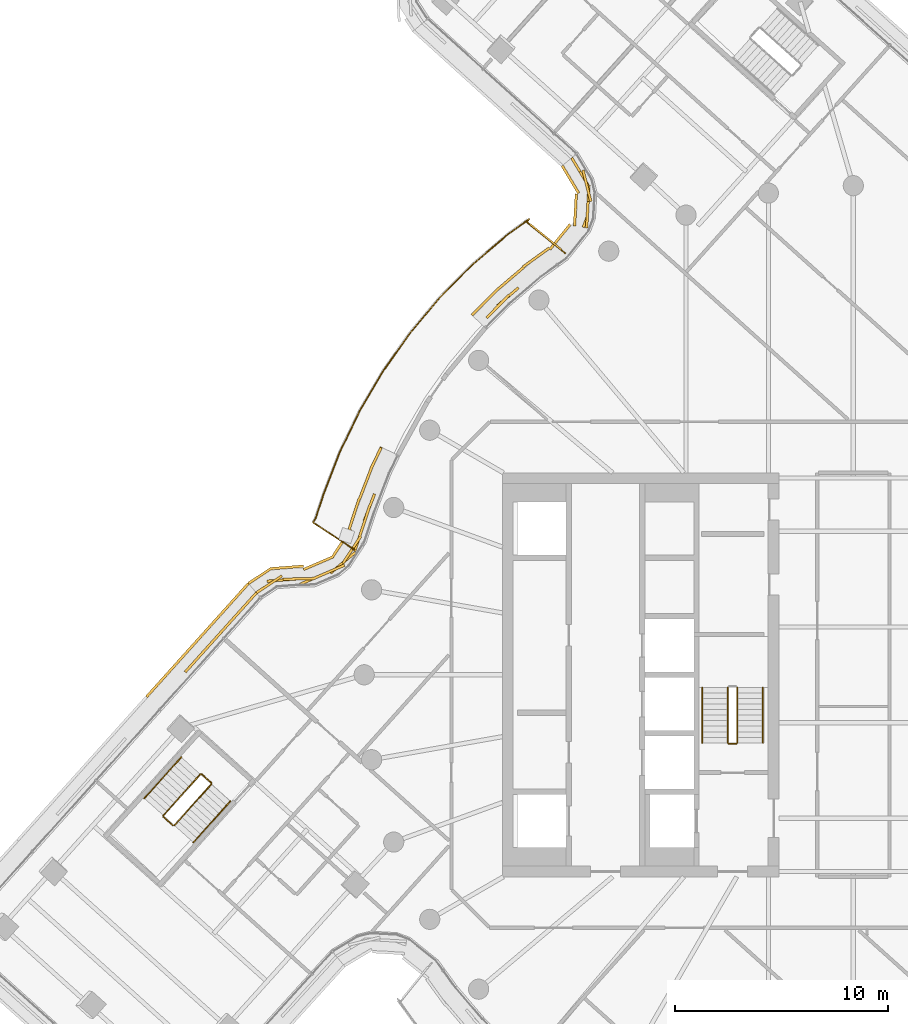
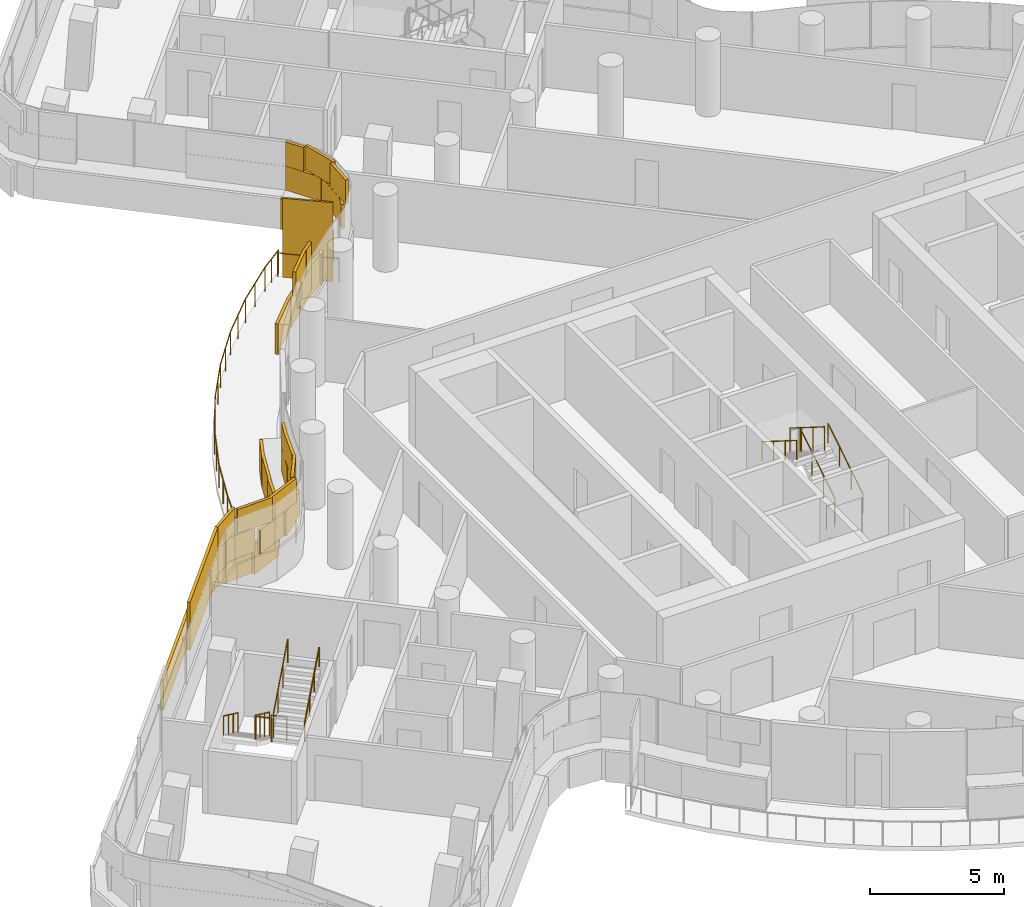
# One storey, part 27 of 31: 12 railings, 3 coverings, 1 shading device.
"""IFC4 building model written with IfcOpenShell, lengths in metres."""

import ifcopenshell
import ifcopenshell.guid

model = None  # the IFC model being written
_history = None  # IfcOwnerHistory: only IFC2X3 demands one
_inside = {}  # id of a spatial element -> (the spatial element, [elements in it])
_under = {}  # id of a project, library or spatial element -> (it, [spatial elements below it])
_declared = {}  # id of a project -> (the project, [libraries it declares])
_typed = {}  # id of a type object -> (the type object, [elements of that type])
_made_of = {}  # id of a material, layer set ... -> (it, [elements and type objects made of it])


def new_model(schema):
    """Start an empty IFC model of exactly this schema.

    Asked for "IFC4X3", IfcOpenShell would pick the latest addendum, in which some entities
    have other attributes; the version numbers below select the first issue.
    IFC2X3 requires an IfcOwnerHistory on every rooted entity: one is made here for all.
    """
    global model, _history
    if schema == "IFC4X3":
        model = ifcopenshell.file(schema_version=(4, 3, 0, 0))
    else:
        model = ifcopenshell.file(schema=schema)
    _inside.clear()
    _under.clear()
    _declared.clear()
    _typed.clear()
    _made_of.clear()
    _history = None
    if model.schema == "IFC2X3":
        org = make("IfcOrganization", Name="unknown")
        user = make(
            "IfcPersonAndOrganization",
            ThePerson=make("IfcPerson", FamilyName="unknown"),
            TheOrganization=org,
        )
        app = make(
            "IfcApplication",
            ApplicationDeveloper=org,
            Version="unknown",
            ApplicationFullName="unknown",
            ApplicationIdentifier="unknown",
        )
        _history = make(
            "IfcOwnerHistory",
            OwningUser=user,
            OwningApplication=app,
            ChangeAction="ADDED",
            CreationDate=0,
        )
    return model


def make(cls, **values):
    """One entity of the class cls with the attributes given. An attribute that is None is left unset."""
    return model.create_entity(
        cls, **{name: value for name, value in values.items() if value is not None}
    )


def rooted(cls, **values):
    """An entity with a GlobalId (a new one), such as an element, a storey or a relation."""
    return make(cls, GlobalId=ifcopenshell.guid.new(), OwnerHistory=_history, **values)


def si_unit(unit_type, name, prefix=None):
    """IfcSIUnit, for example si_unit("LENGTHUNIT", "METRE", prefix="MILLI")."""
    return make("IfcSIUnit", UnitType=unit_type, Prefix=prefix, Name=name)


def assignment(units):
    """IfcUnitAssignment: the units of a project."""
    return None if units is None else make("IfcUnitAssignment", Units=units)


def point(xyz):
    """IfcCartesianPoint."""
    return None if xyz is None else make("IfcCartesianPoint", Coordinates=xyz)


def direction(xyz):
    """IfcDirection."""
    return None if xyz is None else make("IfcDirection", DirectionRatios=xyz)


def frame(location, z_axis=None, x_axis=None):
    """IfcAxis2Placement3D, a coordinate frame: its origin and axes. An axis left out is left unset."""
    return make(
        "IfcAxis2Placement3D",
        Location=point(location),
        Axis=direction(z_axis),
        RefDirection=direction(x_axis),
    )


def frame_2d(location, x_axis=None):
    """IfcAxis2Placement2D, a coordinate frame in the plane: its origin and x axis."""
    return make(
        "IfcAxis2Placement2D", Location=point(location), RefDirection=direction(x_axis)
    )


def origin():
    """The frame at (0, 0, 0) with its axes left unset."""
    return frame((0.0, 0.0, 0.0))


def origin_2d():
    """The frame at (0, 0) in the plane with its x axis left unset."""
    return frame_2d((0.0, 0.0))


def place(relative_to, where):
    """IfcLocalPlacement: puts the frame where relative to a parent placement (None: the world)."""
    return make(
        "IfcLocalPlacement", PlacementRelTo=relative_to, RelativePlacement=where
    )


def context(
    kind, dimensions, precision=None, world=None, true_north=None, identifier=None
):
    """IfcGeometricRepresentationContext, for example the 3D "Model" context."""
    return make(
        "IfcGeometricRepresentationContext",
        ContextIdentifier=identifier,
        ContextType=kind,
        CoordinateSpaceDimension=dimensions,
        Precision=precision,
        WorldCoordinateSystem=world,
        TrueNorth=true_north,
    )


def subcontext(parent, identifier, kind, view, scale=None):
    """IfcGeometricRepresentationSubContext, for example "Body" below "Model"."""
    return make(
        "IfcGeometricRepresentationSubContext",
        ContextIdentifier=identifier,
        ContextType=kind,
        ParentContext=parent,
        TargetScale=scale,
        TargetView=view,
    )


def project(units=None, contexts=None):
    """IfcProject with its units and contexts."""
    return rooted(
        "IfcProject",
        Name="project",
        RepresentationContexts=contexts,
        UnitsInContext=assignment(units),
    )


def spatial(cls, under=None, at=None, **own):
    """A site, building, storey or space (cls), placed at a placement, below another one or the project."""
    s = rooted(cls, ObjectPlacement=at, **own)
    if under is not None:
        _under.setdefault(under.id(), (under, []))[1].append(s)
    return s


def profile(cls, at=None, kind="AREA", **sizes):
    """A parametric profile (cls). Its sizes go by their IFC names, for example OverallWidth=200.0."""
    return make(cls, ProfileType=kind, Position=at, **sizes)


def rectangle(**sizes):
    """IfcRectangleProfileDef."""
    return profile("IfcRectangleProfileDef", **sizes)


def circle(**sizes):
    """IfcCircleProfileDef."""
    return profile("IfcCircleProfileDef", **sizes)


def extrude(swept, where, along, depth):
    """IfcExtrudedAreaSolid: the profile swept, set in the frame where, extruded along a direction by depth."""
    return make(
        "IfcExtrudedAreaSolid",
        SweptArea=swept,
        Position=where,
        ExtrudedDirection=direction(along),
        Depth=depth,
    )


def shape(context_of_items, identifier, shape_type, items):
    """IfcShapeRepresentation: the items that make up one representation, for example the "Body"."""
    return make(
        "IfcShapeRepresentation",
        ContextOfItems=context_of_items,
        RepresentationIdentifier=identifier,
        RepresentationType=shape_type,
        Items=items,
    )


def material(Name=None, Category=None):
    """IfcMaterial."""
    return make("IfcMaterial", Name=Name, Category=Category)


def layer(
    of_material, thickness, ventilated=None, Name=None, Category=None, Priority=None
):
    """IfcMaterialLayer: one layer of a wall or slab, of a material (None: an air gap)."""
    return make(
        "IfcMaterialLayer",
        Material=of_material,
        LayerThickness=thickness,
        IsVentilated=ventilated,
        Name=Name,
        Category=Category,
        Priority=Priority,
    )


def layer_set(layers, Name=None):
    """IfcMaterialLayerSet."""
    return make("IfcMaterialLayerSet", MaterialLayers=layers, LayerSetName=Name)


def made_of(thing, what):
    """Note that an element or type object is made of a material, layer set ...; save() writes the relation."""
    if what is not None:
        _made_of.setdefault(what.id(), (what, []))[1].append(thing)
    return thing


def type_object(cls, material=None, **own):
    """A type object (cls), such as IfcWallType, which elements share."""
    return made_of(rooted(cls, **own), material)


def element(
    cls,
    number,
    at=None,
    inside=None,
    cuts=None,
    type_object=None,
    material=None,
    context=None,
    identifier="Body",
    shape_type=None,
    held_by="IfcProductDefinitionShape",
    body=None,
    shapes=None,
    **own,
):
    """One element of the class cls, such as IfcWall. Its Tag is "e" and its number.

    at: its placement. inside: the storey or other place that contains it. cuts: it is an
    opening in that element (IfcRelVoidsElement). A single representation is given by context,
    identifier, shape_type and body (its items); several are given by shapes. held_by: the class
    of the entity that holds the representations. save() writes the other relations.
    """
    e = rooted(cls, Tag="e%d" % number, ObjectPlacement=at, **own)
    if body is not None:
        shapes = [shape(context, identifier, shape_type, body)]
    if shapes is not None:
        e.Representation = make(held_by, Representations=shapes)
    if inside is not None:
        _inside.setdefault(inside.id(), (inside, []))[1].append(e)
    if cuts is not None:
        rooted(
            "IfcRelVoidsElement", RelatingBuildingElement=cuts, RelatedOpeningElement=e
        )
    if type_object is not None:
        _typed.setdefault(type_object.id(), (type_object, []))[1].append(e)
    return made_of(e, material)


def aggregate(whole, parts):
    """IfcRelAggregates: a whole, such as a stair, and the parts it consists of."""
    return rooted("IfcRelAggregates", RelatingObject=whole, RelatedObjects=parts)


def save(model, path):
    """Write the relations noted so far, then the file.

    IfcRelAggregates (storeys below a building ...), IfcRelContainedInSpatialStructure (elements
    in a storey), IfcRelDefinesByType, IfcRelAssociatesMaterial and IfcRelDeclares: one each for
    every whole, place, type object, material and project.
    """
    for whole, parts in _under.values():
        aggregate(whole, parts)
    for where, things in _inside.values():
        rooted(
            "IfcRelContainedInSpatialStructure",
            RelatedElements=things,
            RelatingStructure=where,
        )
    for kind, things in _typed.values():
        rooted("IfcRelDefinesByType", RelatedObjects=things, RelatingType=kind)
    for what, things in _made_of.values():
        rooted("IfcRelAssociatesMaterial", RelatedObjects=things, RelatingMaterial=what)
    for by, libraries in _declared.values():
        rooted("IfcRelDeclares", RelatingContext=by, RelatedDefinitions=libraries)
    model.write(path)


model = new_model("IFC4")

# Units and contexts
model_context = context("Model", 3, precision=1e-05, world=origin(), true_north=direction((0.0, 1.0)))
body_context = subcontext(model_context, "Body", "Model", "MODEL_VIEW")
ifc_project = project(units=[si_unit("LENGTHUNIT", "METRE"), si_unit("AREAUNIT", "SQUARE_METRE"), si_unit("VOLUMEUNIT", "CUBIC_METRE"), si_unit("PLANEANGLEUNIT", "RADIAN"), si_unit("MASSUNIT", "GRAM", prefix="KILO")], contexts=[model_context])

# Site, building, storey
site_placement = place(None, origin())
site = spatial("IfcSite", under=ifc_project, at=site_placement, CompositionType="ELEMENT")
building_placement = place(site_placement, origin())
building = spatial("IfcBuilding", under=site, at=building_placement, Name="Tamarind Cross Interchange Tower", CompositionType="ELEMENT")
storey_placement = place(building_placement, frame((0.0, 0.0, 207.699951171875)))
storey = spatial("IfcBuildingStorey", under=building, at=storey_placement, Name="L52", CompositionType="ELEMENT", Elevation=207.699951171875)

# Railing
ifc_material_1 = material(Name="Stainless steel and laminated glass", Category="steel")
railing_type_1 = type_object("IfcRailingType", Name="Balcony guard", PredefinedType="BALUSTRADE", material=ifc_material_1)
railing_1_placement = place(storey_placement, frame((-13.552001953125, 19.82958984375, 0.0)))
element("IfcRailing", 1, at=railing_1_placement, inside=storey, type_object=railing_type_1, Name="Balcony guard 10", PredefinedType="BALUSTRADE", context=body_context, shape_type="SweptSolid", body=[
    extrude(circle(Radius=0.02490234375, at=origin_2d()), frame((0.0, 0.0, 1.0751953125), z_axis=(-0.777676001528, 0.628665281885, 0.0), x_axis=(-0.628665281885, -0.777676001528, 0.0)), (0.0, 0.0, 1.0), 2.320068359375),
    extrude(circle(Radius=0.02490234375, at=origin_2d()), frame((-1.80419921875, 1.45849609375, 1.0751953125), z_axis=(0.628892839392, 0.777491991316, 0.0), x_axis=(-0.777491991316, 0.628892839392, 0.0)), (0.0, 0.0, 1.0), 0.18408203125),
    extrude(circle(Radius=0.02490234375, at=origin_2d()), frame((-1.6884765625, 1.6015625, 1.0751953125), z_axis=(-0.810519815457, -0.585711216173, 0.0), x_axis=(0.585711216173, -0.810519815457, 0.0)), (0.0, 0.0, 1.0), 1.252197265625),
    extrude(circle(Radius=0.02490234375, at=origin_2d()), frame((-2.703369140625, 0.8681640625, 1.0751953125), z_axis=(-0.760262716383, -0.649615734167, 0.0), x_axis=(0.649615734167, -0.760262716383, 0.0)), (0.0, 0.0, 1.0), 2.17333984375),
    extrude(circle(Radius=0.02490234375, at=origin_2d()), frame((-4.355712890625, -0.543701171875, 1.0751953125), z_axis=(-0.704069857635, -0.710130717242, 0.0), x_axis=(0.710130717242, -0.704069857635, 0.0)), (0.0, 0.0, 1.0), 2.17529296875),
    extrude(circle(Radius=0.02490234375, at=origin_2d()), frame((-5.88720703125, -2.08837890625, 1.0751953125), z_axis=(-0.642984125922, -0.765879503455, 0.0), x_axis=(0.765879503455, -0.642984125922, 0.0)), (0.0, 0.0, 1.0), 2.17529296875),
    extrude(circle(Radius=0.02490234375, at=origin_2d()), frame((-7.285888671875, -3.75439453125, 1.0751953125), z_axis=(-0.577590617379, -0.81632657602, 0.0), x_axis=(0.81632657602, -0.577590617379, 0.0)), (0.0, 0.0, 1.0), 2.175048828125),
    extrude(circle(Radius=0.02490234375, at=origin_2d()), frame((-8.542236328125, -5.530029296875, 1.0751953125), z_axis=(-0.508226290333, -0.861223570169, 0.0), x_axis=(0.861223570169, -0.508226290333, 0.0)), (0.0, 0.0, 1.0), 2.175048828125),
    extrude(circle(Radius=0.02490234375, at=origin_2d()), frame((-9.647705078125, -7.4033203125, 1.0751953125), z_axis=(-0.435276325285, -0.90029690694, 0.0), x_axis=(0.90029690694, -0.435276325285, 0.0)), (0.0, 0.0, 1.0), 2.175048828125),
    extrude(circle(Radius=0.02490234375, at=origin_2d()), frame((-10.594482421875, -9.361572265625, 1.0751953125), z_axis=(-0.359538064899, -0.933130419549, 0.0), x_axis=(0.933130419549, -0.359538064899, 0.0)), (0.0, 0.0, 1.0), 2.13623046875),
    extrude(circle(Radius=0.02490234375, at=origin_2d()), frame((-11.362548828125, -11.35498046875, 1.0751953125), z_axis=(-0.313153963081, -0.949702372013, 0.0), x_axis=(0.949702372013, -0.313153963081, 0.0)), (0.0, 0.0, 1.0), 1.192138671875),
    extrude(circle(Radius=0.02490234375, at=origin_2d()), frame((-11.73583984375, -12.487060546875, 1.0751953125), z_axis=(-0.549222893699, -0.835675901912, 0.0), x_axis=(0.835675901912, -0.549222893699, 0.0)), (0.0, 0.0, 1.0), 0.216552734375),
    extrude(circle(Radius=0.02490234375, at=origin_2d()), frame((-11.854736328125, -12.66796875, 1.0751953125), z_axis=(0.835755152661, -0.549102289925, 0.0), x_axis=(0.549102289925, 0.835755152661, 0.0)), (0.0, 0.0, 1.0), 2.320068359375),
    extrude(circle(Radius=0.02001953125, at=origin_2d()), origin(), (0.0, 0.0, 1.0), 1.050048828125),
    extrude(circle(Radius=0.02001953125, at=origin_2d()), frame((-0.902099609375, 0.729248046875, 0.0)), (0.0, 0.0, 1.0), 1.050048828125),
    extrude(circle(Radius=0.02001953125, at=origin_2d()), frame((-1.80419921875, 1.45849609375, 0.0)), (0.0, 0.0, 1.0), 1.050048828125),
    extrude(circle(Radius=0.02001953125, at=origin_2d()), frame((-1.6884765625, 1.6015625, 0.0)), (0.0, 0.0, 1.0), 1.050048828125),
    extrude(circle(Radius=0.02001953125, at=origin_2d()), frame((-2.19580078125, 1.23486328125, 0.0)), (0.0, 0.0, 1.0), 1.050048828125),
    extrude(circle(Radius=0.02001953125, at=origin_2d()), frame((-2.703369140625, 0.8681640625, 0.0)), (0.0, 0.0, 1.0), 1.050048828125),
    extrude(circle(Radius=0.02001953125, at=origin_2d()), frame((-3.529541015625, 0.162109375, 0.0)), (0.0, 0.0, 1.0), 1.050048828125),
    extrude(circle(Radius=0.02001953125, at=origin_2d()), frame((-4.355712890625, -0.543701171875, 0.0)), (0.0, 0.0, 1.0), 1.050048828125),
    extrude(circle(Radius=0.02001953125, at=origin_2d()), frame((-5.12158203125, -1.31591796875, 0.0)), (0.0, 0.0, 1.0), 1.050048828125),
    extrude(circle(Radius=0.02001953125, at=origin_2d()), frame((-5.88720703125, -2.08837890625, 0.0)), (0.0, 0.0, 1.0), 1.050048828125),
    extrude(circle(Radius=0.02001953125, at=origin_2d()), frame((-6.58642578125, -2.92138671875, 0.0)), (0.0, 0.0, 1.0), 1.050048828125),
    extrude(circle(Radius=0.02001953125, at=origin_2d()), frame((-7.285888671875, -3.75439453125, 0.0)), (0.0, 0.0, 1.0), 1.050048828125),
    extrude(circle(Radius=0.02001953125, at=origin_2d()), frame((-7.9140625, -4.64208984375, 0.0)), (0.0, 0.0, 1.0), 1.050048828125),
    extrude(circle(Radius=0.02001953125, at=origin_2d()), frame((-8.542236328125, -5.530029296875, 0.0)), (0.0, 0.0, 1.0), 1.050048828125),
    extrude(circle(Radius=0.02001953125, at=origin_2d()), frame((-9.094970703125, -6.466796875, 0.0)), (0.0, 0.0, 1.0), 1.050048828125),
    extrude(circle(Radius=0.02001953125, at=origin_2d()), frame((-9.647705078125, -7.4033203125, 0.0)), (0.0, 0.0, 1.0), 1.050048828125),
    extrude(circle(Radius=0.02001953125, at=origin_2d()), frame((-10.12109375, -8.38232421875, 0.0)), (0.0, 0.0, 1.0), 1.050048828125),
    extrude(circle(Radius=0.02001953125, at=origin_2d()), frame((-10.594482421875, -9.361572265625, 0.0)), (0.0, 0.0, 1.0), 1.050048828125),
    extrude(circle(Radius=0.02001953125, at=origin_2d()), frame((-10.978515625, -10.3583984375, 0.0)), (0.0, 0.0, 1.0), 1.050048828125),
    extrude(circle(Radius=0.02001953125, at=origin_2d()), frame((-11.362548828125, -11.35498046875, 0.0)), (0.0, 0.0, 1.0), 1.050048828125),
    extrude(circle(Radius=0.02001953125, at=origin_2d()), frame((-11.73583984375, -12.487060546875, 0.0)), (0.0, 0.0, 1.0), 1.050048828125),
    extrude(circle(Radius=0.02001953125, at=origin_2d()), frame((-11.854736328125, -12.66796875, 0.0)), (0.0, 0.0, 1.0), 1.050048828125),
    extrude(circle(Radius=0.02001953125, at=origin_2d()), frame((-10.88525390625, -13.304931640625, 0.0)), (0.0, 0.0, 1.0), 1.050048828125),
    extrude(circle(Radius=0.02001953125, at=origin_2d()), frame((-9.915771484375, -13.94189453125, 0.0)), (0.0, 0.0, 1.0), 1.050048828125),
])

# Shading device
ifc_material_2 = material(Name="Bronze-finish aluminium louvre", Category="aluminium")
ifc_layer_1 = layer(ifc_material_2, 0.080078125)
ifc_layer_set_1 = layer_set([ifc_layer_1], Name="Bronze-finish aluminium louvre")
shading_device_type = type_object("IfcShadingDeviceType", Name="Operable louvre bay", PredefinedType="JALOUSIE", material=ifc_layer_set_1)
shading_device_placement = place(storey_placement, origin())
element("IfcShadingDevice", 2, at=shading_device_placement, inside=storey, type_object=shading_device_type, Name="LVR-L52-BAL10", PredefinedType="JALOUSIE", context=body_context, shape_type="SweptSolid", body=[
    extrude(rectangle(XDim=1.89990234375, YDim=0.080078125, at=origin_2d()), frame((-14.463134765625, 20.58935546875, 0.0), z_axis=(0.0, 0.0, 1.0), x_axis=(-0.777683057533, 0.628656553315, 0.0)), (0.0, 0.0, 1.0), 3.60009765625),
])

# Railings
ifc_material_3 = material(Name="Stair guard")
railing_type_2 = type_object("IfcRailingType", Name="Stair guard", PredefinedType="GUARDRAIL", material=ifc_material_3)
railing_2_placement = place(storey_placement, frame((-5.449951171875, -3.199951171875, 0.16357421875)))
element("IfcRailing", 3, at=railing_2_placement, inside=storey, type_object=railing_type_2, Name="L52 ST1 stair guard 1", PredefinedType="GUARDRAIL", context=body_context, shape_type="SweptSolid", body=[
    extrude(circle(Radius=0.02392578125, at=origin_2d()), frame((0.0, 0.0, 1.076171875), z_axis=(0.0, 0.846301844409, 0.532703658848), x_axis=(-1.0, 0.0, 0.0)), (0.0, 0.0, 1.0), 3.072021484375),
    extrude(circle(Radius=0.02099609375, at=origin_2d()), origin(), (0.0, 0.0, 1.0), 1.052001953125),
    extrude(circle(Radius=0.02099609375, at=origin_2d()), frame((0.0, 0.86669921875, 0.54541015625)), (0.0, 0.0, 1.0), 1.052001953125),
    extrude(circle(Radius=0.02099609375, at=origin_2d()), frame((0.0, 1.733154296875, 1.091064453125)), (0.0, 0.0, 1.0), 1.052001953125),
    extrude(circle(Radius=0.02099609375, at=origin_2d()), frame((0.0, 2.599853515625, 1.636474609375)), (0.0, 0.0, 1.0), 1.052001953125),
])
railing_3_placement = place(storey_placement, frame((-5.89990234375, -0.60009765625, 1.963623046875)))
element("IfcRailing", 4, at=railing_3_placement, inside=storey, type_object=railing_type_2, Name="L52 ST1 stair guard 3", PredefinedType="GUARDRAIL", context=body_context, shape_type="SweptSolid", body=[
    extrude(circle(Radius=0.02392578125, at=origin_2d()), frame((0.0, 0.0, 1.076171875), z_axis=(0.0, -0.846301844409, 0.532703658848), x_axis=(1.0, 0.0, 0.0)), (0.0, 0.0, 1.0), 3.072021484375),
    extrude(circle(Radius=0.02099609375, at=origin_2d()), origin(), (0.0, 0.0, 1.0), 1.052001953125),
    extrude(circle(Radius=0.02099609375, at=origin_2d()), frame((0.0, -0.86669921875, 0.54541015625)), (0.0, 0.0, 1.0), 1.052001953125),
    extrude(circle(Radius=0.02099609375, at=origin_2d()), frame((0.0, -1.733154296875, 1.091064453125)), (0.0, 0.0, 1.0), 1.052001953125),
    extrude(circle(Radius=0.02099609375, at=origin_2d()), frame((0.0, -2.599853515625, 1.636474609375)), (0.0, 0.0, 1.0), 1.052001953125),
])
railing_4_placement = place(storey_placement, frame((-5.5, -3.25, 0.0)))
element("IfcRailing", 5, at=railing_4_placement, inside=storey, type_object=railing_type_2, Name="L52 ST1 stair guard 4", PredefinedType="GUARDRAIL", context=body_context, shape_type="SweptSolid", body=[
    extrude(circle(Radius=0.02392578125, at=origin_2d()), frame((0.0, 0.0, 1.076171875), z_axis=(-1.0, 0.0, 0.0), x_axis=(0.0, -1.0, 0.0)), (0.0, 0.0, 1.0), 0.35009765625),
    extrude(circle(Radius=0.02099609375, at=origin_2d()), origin(), (0.0, 0.0, 1.0), 1.052001953125),
    extrude(circle(Radius=0.02099609375, at=origin_2d()), frame((-0.35009765625, 0.0, 0.0)), (0.0, 0.0, 1.0), 1.052001953125),
])
railing_5_placement = place(storey_placement, frame((-30.70751953125, -4.678955078125, 0.16357421875)))
element("IfcRailing", 6, at=railing_5_placement, inside=storey, type_object=railing_type_2, Name="L52 ST5 stair guard 1", PredefinedType="GUARDRAIL", context=body_context, shape_type="SweptSolid", body=[
    extrude(circle(Radius=0.02392578125, at=origin_2d()), frame((0.0, 0.0, 1.076171875), z_axis=(-0.565589932231, -0.629563501916, 0.532689239251), x_axis=(0.743891502007, -0.668300406436, 0.0)), (0.0, 0.0, 1.0), 3.072021484375),
    extrude(circle(Radius=0.02099609375, at=origin_2d()), origin(), (0.0, 0.0, 1.0), 1.052001953125),
    extrude(circle(Radius=0.02099609375, at=origin_2d()), frame((-0.5791015625, -0.644775390625, 0.54541015625)), (0.0, 0.0, 1.0), 1.052001953125),
    extrude(circle(Radius=0.02099609375, at=origin_2d()), frame((-1.158447265625, -1.289306640625, 1.091064453125)), (0.0, 0.0, 1.0), 1.052001953125),
    extrude(circle(Radius=0.02099609375, at=origin_2d()), frame((-1.737548828125, -1.93408203125, 1.636474609375)), (0.0, 0.0, 1.0), 1.052001953125),
])
railing_6_placement = place(storey_placement, frame((-32.44140625, -6.68359375, 1.800048828125)))
element("IfcRailing", 7, at=railing_6_placement, inside=storey, type_object=railing_type_2, Name="L52 ST5 stair guard 2", PredefinedType="GUARDRAIL", context=body_context, shape_type="SweptSolid", body=[
    extrude(circle(Radius=0.02392578125, at=origin_2d()), frame((0.0, 0.0, 1.076171875), z_axis=(0.743941352651, -0.668244913049, 0.0), x_axis=(0.668244913049, 0.743941352651, 0.0)), (0.0, 0.0, 1.0), 0.599853515625),
    extrude(circle(Radius=0.02099609375, at=origin_2d()), origin(), (0.0, 0.0, 1.0), 1.052001953125),
    extrude(circle(Radius=0.02099609375, at=origin_2d()), frame((0.4462890625, -0.40087890625, 0.0)), (0.0, 0.0, 1.0), 1.052001953125),
])
railing_7_placement = place(storey_placement, frame((-31.924560546875, -7.080810546875, 1.963623046875)))
element("IfcRailing", 8, at=railing_7_placement, inside=storey, type_object=railing_type_2, Name="L52 ST5 stair guard 3", PredefinedType="GUARDRAIL", context=body_context, shape_type="SweptSolid", body=[
    extrude(circle(Radius=0.02392578125, at=origin_2d()), frame((0.0, 0.0, 1.076171875), z_axis=(0.565643976958, 0.629535204476, 0.532665296087), x_axis=(-0.743844820409, 0.668352364513, 0.0)), (0.0, 0.0, 1.0), 3.072265625),
    extrude(circle(Radius=0.02099609375, at=origin_2d()), origin(), (0.0, 0.0, 1.0), 1.052001953125),
    extrude(circle(Radius=0.02099609375, at=origin_2d()), frame((0.579345703125, 0.644775390625, 0.54541015625)), (0.0, 0.0, 1.0), 1.052001953125),
    extrude(circle(Radius=0.02099609375, at=origin_2d()), frame((1.158447265625, 1.289306640625, 1.091064453125)), (0.0, 0.0, 1.0), 1.052001953125),
    extrude(circle(Radius=0.02099609375, at=origin_2d()), frame((1.73779296875, 1.93408203125, 1.636474609375)), (0.0, 0.0, 1.0), 1.052001953125),
])
railing_8_placement = place(storey_placement, frame((-30.636962890625, -4.675048828125, 0.0)))
element("IfcRailing", 9, at=railing_8_placement, inside=storey, type_object=railing_type_2, Name="L52 ST5 stair guard 4", PredefinedType="GUARDRAIL", context=body_context, shape_type="SweptSolid", body=[
    extrude(circle(Radius=0.02392578125, at=origin_2d()), frame((0.0, 0.0, 1.076171875), z_axis=(0.743739054496, -0.668470058281, 0.0), x_axis=(0.668470058281, 0.743739054496, 0.0)), (0.0, 0.0, 1.0), 0.60009765625),
    extrude(circle(Radius=0.02099609375, at=origin_2d()), origin(), (0.0, 0.0, 1.0), 1.052001953125),
    extrude(circle(Radius=0.02099609375, at=origin_2d()), frame((0.4462890625, -0.401123046875, 0.0)), (0.0, 0.0, 1.0), 1.052001953125),
])
ifc_material_4 = material(Name="Stair handrail")
railing_type_3 = type_object("IfcRailingType", Name="Stair handrail", PredefinedType="HANDRAIL", material=ifc_material_4)
railing_9_placement = place(storey_placement, frame((-4.25, -3.199951171875, 0.16357421875)))
element("IfcRailing", 10, at=railing_9_placement, inside=storey, type_object=railing_type_3, Name="L52 ST1 stair handrail 1", PredefinedType="HANDRAIL", context=body_context, shape_type="SweptSolid", body=[
    extrude(circle(Radius=0.02392578125, at=origin_2d()), frame((0.0, 0.0, 0.8759765625), z_axis=(0.0, 0.846301844409, 0.532703658848), x_axis=(-1.0, 0.0, 0.0)), (0.0, 0.0, 1.0), 3.072021484375),
    extrude(circle(Radius=0.02099609375, at=origin_2d()), origin(), (0.0, 0.0, 1.0), 0.851806640625),
    extrude(circle(Radius=0.02099609375, at=origin_2d()), frame((0.0, 0.86669921875, 0.54541015625)), (0.0, 0.0, 1.0), 0.851806640625),
    extrude(circle(Radius=0.02099609375, at=origin_2d()), frame((0.0, 1.733154296875, 1.091064453125)), (0.0, 0.0, 1.0), 0.851806640625),
    extrude(circle(Radius=0.02099609375, at=origin_2d()), frame((0.0, 2.599853515625, 1.636474609375)), (0.0, 0.0, 1.0), 0.851806640625),
])
railing_10_placement = place(storey_placement, frame((-7.10009765625, -0.60009765625, 1.963623046875)))
element("IfcRailing", 11, at=railing_10_placement, inside=storey, type_object=railing_type_3, Name="L52 ST1 stair handrail 2", PredefinedType="HANDRAIL", context=body_context, shape_type="SweptSolid", body=[
    extrude(circle(Radius=0.02392578125, at=origin_2d()), frame((0.0, 0.0, 0.8759765625), z_axis=(0.0, -0.846301844409, 0.532703658848), x_axis=(1.0, 0.0, 0.0)), (0.0, 0.0, 1.0), 3.072021484375),
    extrude(circle(Radius=0.02099609375, at=origin_2d()), origin(), (0.0, 0.0, 1.0), 0.851806640625),
    extrude(circle(Radius=0.02099609375, at=origin_2d()), frame((0.0, -0.86669921875, 0.54541015625)), (0.0, 0.0, 1.0), 0.851806640625),
    extrude(circle(Radius=0.02099609375, at=origin_2d()), frame((0.0, -1.733154296875, 1.091064453125)), (0.0, 0.0, 1.0), 0.851806640625),
    extrude(circle(Radius=0.02099609375, at=origin_2d()), frame((0.0, -2.599853515625, 1.636474609375)), (0.0, 0.0, 1.0), 0.851806640625),
])
railing_11_placement = place(storey_placement, frame((-31.60009765625, -3.876953125, 0.16357421875)))
element("IfcRailing", 12, at=railing_11_placement, inside=storey, type_object=railing_type_3, Name="L52 ST5 stair handrail 1", PredefinedType="HANDRAIL", context=body_context, shape_type="SweptSolid", body=[
    extrude(circle(Radius=0.02392578125, at=origin_2d()), frame((0.0, 0.0, 0.8759765625), z_axis=(-0.565643976958, -0.629535204476, 0.532665296087), x_axis=(0.743844820409, -0.668352364513, 0.0)), (0.0, 0.0, 1.0), 3.072265625),
    extrude(circle(Radius=0.02099609375, at=origin_2d()), origin(), (0.0, 0.0, 1.0), 0.851806640625),
    extrude(circle(Radius=0.02099609375, at=origin_2d()), frame((-0.579345703125, -0.644775390625, 0.54541015625)), (0.0, 0.0, 1.0), 0.851806640625),
    extrude(circle(Radius=0.02099609375, at=origin_2d()), frame((-1.158447265625, -1.289306640625, 1.091064453125)), (0.0, 0.0, 1.0), 0.851806640625),
    extrude(circle(Radius=0.02099609375, at=origin_2d()), frame((-1.73779296875, -1.93408203125, 1.636474609375)), (0.0, 0.0, 1.0), 0.851806640625),
])
railing_12_placement = place(storey_placement, frame((-31.03173828125, -7.8828125, 1.963623046875)))
element("IfcRailing", 13, at=railing_12_placement, inside=storey, type_object=railing_type_3, Name="L52 ST5 stair handrail 2", PredefinedType="HANDRAIL", context=body_context, shape_type="SweptSolid", body=[
    extrude(circle(Radius=0.02392578125, at=origin_2d()), frame((0.0, 0.0, 0.8759765625), z_axis=(0.565589932231, 0.629563501916, 0.532689239251), x_axis=(-0.743891502007, 0.668300406436, 0.0)), (0.0, 0.0, 1.0), 3.072021484375),
    extrude(circle(Radius=0.02099609375, at=origin_2d()), origin(), (0.0, 0.0, 1.0), 0.851806640625),
    extrude(circle(Radius=0.02099609375, at=origin_2d()), frame((0.5791015625, 0.644775390625, 0.54541015625)), (0.0, 0.0, 1.0), 0.851806640625),
    extrude(circle(Radius=0.02099609375, at=origin_2d()), frame((1.158447265625, 1.289306640625, 1.091064453125)), (0.0, 0.0, 1.0), 0.851806640625),
    extrude(circle(Radius=0.02099609375, at=origin_2d()), frame((1.737548828125, 1.93408203125, 1.636474609375)), (0.0, 0.0, 1.0), 0.851806640625),
])

# Coverings
ifc_material_5 = material(Name="Terracotta", Category="masonry")
ifc_layer_2 = layer(ifc_material_5, 0.1201171875)
ifc_layer_set_2 = layer_set([ifc_layer_2], Name="Terracotta")
covering_type = type_object("IfcCoveringType", Name="Terracotta baguette screen unit", PredefinedType="MOLDING", material=ifc_layer_set_2)
covering_1_placement = place(storey_placement, origin())
element("IfcCovering", 14, at=covering_1_placement, inside=storey, type_object=covering_type, Name="SCR-L52-10-00", PredefinedType="MOLDING", context=body_context, shape_type="SweptSolid", body=[
    extrude(rectangle(XDim=1.510009765625, YDim=0.1201171875, at=origin_2d()), frame((-12.854736328125, 23.6630859375, 1.40380859375), z_axis=(0.0, 0.0, 1.0), x_axis=(0.51461492181, -0.857421414621, 0.0)), (0.0, 0.0, 1.0), 1.092041015625),
    extrude(rectangle(XDim=1.52001953125, YDim=0.1201171875, at=origin_2d()), frame((-12.470703125, 22.25634765625, 1.40380859375), z_axis=(0.0, 0.0, 1.0), x_axis=(-0.055933765269, -0.998434481527, 0.0)), (0.0, 0.0, 1.0), 1.092041015625),
    extrude(rectangle(XDim=0.510498046875, YDim=0.1201171875, at=origin_2d()), frame((-12.6083984375, 21.274658203125, 1.40380859375), z_axis=(0.0, 0.0, 1.0), x_axis=(-0.346862362223, -0.937916041911, 0.0)), (0.0, 0.0, 1.0), 1.092041015625),
    extrude(rectangle(XDim=1.309326171875, YDim=0.1201171875, at=origin_2d()), frame((-16.241943359375, 17.776123046875, 1.40380859375), z_axis=(0.0, 0.0, 1.0), x_axis=(-0.760295606781, -0.64957723968, 0.0)), (0.0, 0.0, 1.0), 1.092041015625),
    extrude(rectangle(XDim=0.760009765625, YDim=0.1201171875, at=origin_2d()), frame((-13.0478515625, 23.984619140625, 2.50390625), z_axis=(0.0, 0.0, 1.0), x_axis=(0.51461492181, -0.857421414621, 0.0)), (0.0, 0.0, 1.0), 1.092041015625),
    extrude(rectangle(XDim=1.52001953125, YDim=0.1201171875, at=origin_2d()), frame((-12.527587890625, 22.995849609375, 2.50390625), z_axis=(0.0, 0.0, 1.0), x_axis=(0.239933891097, -0.970789229392, 0.0)), (0.0, 0.0, 1.0), 1.092041015625),
    extrude(rectangle(XDim=1.260498046875, YDim=0.1201171875, at=origin_2d()), frame((-12.505615234375, 21.632080078125, 2.50390625), z_axis=(0.0, 0.0, 1.0), x_axis=(-0.055933765269, -0.998434481527, 0.0)), (0.0, 0.0, 1.0), 1.092041015625),
    extrude(rectangle(XDim=0.559326171875, YDim=0.1201171875, at=origin_2d()), frame((-15.956787109375, 18.019775390625, 2.50390625), z_axis=(0.0, 0.0, 1.0), x_axis=(-0.760295606781, -0.64957723968, 0.0)), (0.0, 0.0, 1.0), 1.092041015625),
    extrude(rectangle(XDim=1.52001953125, YDim=0.1201171875, at=origin_2d()), frame((-16.710205078125, 17.326416015625, 2.50390625), z_axis=(0.0, 0.0, 1.0), x_axis=(-0.704057148523, -0.710143317658, 0.0)), (0.0, 0.0, 1.0), 1.092041015625),
    extrude(rectangle(XDim=1.510009765625, YDim=0.1201171875, at=origin_2d()), frame((-13.30078125, 23.290771484375, 0.00390625), z_axis=(0.0, 0.0, 1.0), x_axis=(0.51461492181, -0.857421414621, 0.0)), (0.0, 0.0, 1.0), 1.39208984375),
    extrude(rectangle(XDim=1.52001953125, YDim=0.1201171875, at=origin_2d()), frame((-13.06787109375, 21.859130859375, 0.00390625), z_axis=(0.0, 0.0, 1.0), x_axis=(-0.055933765269, -0.998434481527, 0.0)), (0.0, 0.0, 1.0), 1.39208984375),
    extrude(rectangle(XDim=1.52001953125, YDim=0.1201171875, at=origin_2d()), frame((-13.79150390625, 20.58935546875, 0.00390625), z_axis=(0.0, 0.0, 1.0), x_axis=(-0.628656553315, -0.777683057533, 0.0)), (0.0, 0.0, 1.0), 1.39208984375),
    extrude(rectangle(XDim=1.52001953125, YDim=0.1201171875, at=origin_2d()), frame((-14.920654296875, 19.619140625, 0.00390625), z_axis=(0.0, 0.0, 1.0), x_axis=(-0.810455063884, -0.585800810365, 0.0)), (0.0, 0.0, 1.0), 1.39208984375),
    extrude(rectangle(XDim=1.52001953125, YDim=0.1201171875, at=origin_2d()), frame((-16.080322265625, 18.669189453125, 0.00390625), z_axis=(0.0, 0.0, 1.0), x_axis=(-0.760295606781, -0.64957723968, 0.0)), (0.0, 0.0, 1.0), 1.39208984375),
    extrude(rectangle(XDim=1.52001953125, YDim=0.1201171875, at=origin_2d()), frame((-17.18798828125, 17.65966796875, 0.00390625), z_axis=(0.0, 0.0, 1.0), x_axis=(-0.704057148523, -0.710143317658, 0.0)), (0.0, 0.0, 1.0), 1.39208984375),
    extrude(rectangle(XDim=0.31787109375, YDim=0.1201171875, at=origin_2d()), frame((-17.821044921875, 17.021240234375, 0.00390625), z_axis=(0.0, 0.0, 1.0), x_axis=(-0.704057148523, -0.710143317658, 0.0)), (0.0, 0.0, 1.0), 1.39208984375),
    extrude(rectangle(XDim=0.03076171875, YDim=0.1201171875, at=origin_2d()), frame((-22.199951171875, 10.689453125, 0.00390625), z_axis=(0.0, 0.0, 1.0), x_axis=(-0.435326231914, -0.900272776334, 0.0)), (0.0, 0.0, 1.0), 1.39208984375),
])
covering_2_placement = place(storey_placement, origin())
element("IfcCovering", 15, at=covering_2_placement, inside=storey, type_object=covering_type, Name="SCR-L52-10-01", PredefinedType="MOLDING", context=body_context, shape_type="SweptSolid", body=[
    extrude(rectangle(XDim=1.352783203125, YDim=0.1201171875, at=origin_2d()), frame((-22.757080078125, 7.87158203125, 1.40380859375), z_axis=(0.0, 0.0, 1.0), x_axis=(-0.359495435512, -0.933146843667, 0.0)), (0.0, 0.0, 1.0), 1.092041015625),
    extrude(rectangle(XDim=1.52001953125, YDim=0.1201171875, at=origin_2d()), frame((-23.20947265625, 6.5244140625, 1.40380859375), z_axis=(0.0, 0.0, 1.0), x_axis=(-0.313198573491, -0.949687661057, 0.0)), (0.0, 0.0, 1.0), 1.092041015625),
    extrude(rectangle(XDim=1.52001953125, YDim=0.1201171875, at=origin_2d()), frame((-24.008544921875, 5.26513671875, 1.40380859375), z_axis=(0.0, 0.0, 1.0), x_axis=(-0.76640741507, -0.642354788358, 0.0)), (0.0, 0.0, 1.0), 1.092041015625),
    extrude(rectangle(XDim=1.52001953125, YDim=0.1201171875, at=origin_2d()), frame((-25.315673828125, 4.5576171875, 1.40380859375), z_axis=(0.0, 0.0, 1.0), x_axis=(-0.918853712499, -0.394598346457, 0.0)), (0.0, 0.0, 1.0), 1.092041015625),
    extrude(rectangle(XDim=1.52001953125, YDim=0.1201171875, at=origin_2d()), frame((-26.8076171875, 4.45947265625, 1.40380859375), z_axis=(0.0, 0.0, 1.0), x_axis=(-0.997111597465, -0.075950393023, 0.0)), (0.0, 0.0, 1.0), 1.092041015625),
    extrude(rectangle(XDim=0.694091796875, YDim=0.1201171875, at=origin_2d()), frame((-27.782470703125, 4.0439453125, 1.40380859375), z_axis=(0.0, 0.0, 1.0), x_axis=(-0.833958282964, -0.551827493222, 0.0)), (0.0, 0.0, 1.0), 1.092041015625),
    extrude(rectangle(XDim=0.602783203125, YDim=0.1201171875, at=origin_2d()), frame((-22.6220703125, 8.2216796875, 2.50390625), z_axis=(0.0, 0.0, 1.0), x_axis=(-0.359495435512, -0.933146843667, 0.0)), (0.0, 0.0, 1.0), 1.092041015625),
    extrude(rectangle(XDim=1.52001953125, YDim=0.1201171875, at=origin_2d()), frame((-22.974609375, 7.236572265625, 2.50390625), z_axis=(0.0, 0.0, 1.0), x_axis=(-0.313198573491, -0.949687661057, 0.0)), (0.0, 0.0, 1.0), 1.092041015625),
    extrude(rectangle(XDim=1.52001953125, YDim=0.1201171875, at=origin_2d()), frame((-23.58154296875, 5.87841796875, 2.50390625), z_axis=(0.0, 0.0, 1.0), x_axis=(-0.549105324776, -0.835753158715, 0.0)), (0.0, 0.0, 1.0), 1.092041015625),
    extrude(rectangle(XDim=1.52001953125, YDim=0.1201171875, at=origin_2d()), frame((-24.626708984375, 4.853515625, 2.50390625), z_axis=(0.0, 0.0, 1.0), x_axis=(-0.918853712499, -0.394598346457, 0.0)), (0.0, 0.0, 1.0), 1.092041015625),
    extrude(rectangle(XDim=1.52001953125, YDim=0.1201171875, at=origin_2d()), frame((-26.0595703125, 4.5107421875, 2.50390625), z_axis=(0.0, 0.0, 1.0), x_axis=(-0.999676421298, -0.025437230605, 0.0)), (0.0, 0.0, 1.0), 1.092041015625),
    extrude(rectangle(XDim=1.444091796875, YDim=0.1201171875, at=origin_2d()), frame((-27.4697265625, 4.250732421875, 2.50390625), z_axis=(0.0, 0.0, 1.0), x_axis=(-0.833958282964, -0.551827493222, 0.0)), (0.0, 0.0, 1.0), 1.092041015625),
    extrude(rectangle(XDim=1.111572265625, YDim=0.1201171875, at=origin_2d()), frame((-22.44873046875, 10.17529296875, 0.00390625), z_axis=(0.0, 0.0, 1.0), x_axis=(-0.435326231914, -0.900272776334, 0.0)), (0.0, 0.0, 1.0), 1.39208984375),
    extrude(rectangle(XDim=1.52001953125, YDim=0.1201171875, at=origin_2d()), frame((-22.9453125, 8.9794921875, 0.00390625), z_axis=(0.0, 0.0, 1.0), x_axis=(-0.359495435512, -0.933146843667, 0.0)), (0.0, 0.0, 1.0), 1.39208984375),
    extrude(rectangle(XDim=1.52001953125, YDim=0.1201171875, at=origin_2d()), frame((-23.4677734375, 7.57373046875, 0.00390625), z_axis=(0.0, 0.0, 1.0), x_axis=(-0.313198573491, -0.949687661057, 0.0)), (0.0, 0.0, 1.0), 1.39208984375),
    extrude(rectangle(XDim=1.52001953125, YDim=0.1201171875, at=origin_2d()), frame((-24.053466796875, 6.205322265625, 0.00390625), z_axis=(0.0, 0.0, 1.0), x_axis=(-0.549105324776, -0.835753158715, 0.0)), (0.0, 0.0, 1.0), 1.39208984375),
    extrude(rectangle(XDim=1.52001953125, YDim=0.1201171875, at=origin_2d()), frame((-25.150390625, 5.25341796875, 0.00390625), z_axis=(0.0, 0.0, 1.0), x_axis=(-0.918853712499, -0.394598346457, 0.0)), (0.0, 0.0, 1.0), 1.39208984375),
    extrude(rectangle(XDim=1.52001953125, YDim=0.1201171875, at=origin_2d()), frame((-26.6171875, 5.049560546875, 0.00390625), z_axis=(0.0, 0.0, 1.0), x_axis=(-0.997111597465, -0.075950393023, 0.0)), (0.0, 0.0, 1.0), 1.39208984375),
    extrude(rectangle(XDim=1.300537109375, YDim=0.1201171875, at=origin_2d()), frame((-27.9033203125, 4.652099609375, 0.00390625), z_axis=(0.0, 0.0, 1.0), x_axis=(-0.833958282964, -0.551827493222, 0.0)), (0.0, 0.0, 1.0), 1.39208984375),
])
covering_3_placement = place(storey_placement, origin())
element("IfcCovering", 16, at=covering_3_placement, inside=storey, type_object=covering_type, Name="SCR-L52-11-00", PredefinedType="MOLDING", context=body_context, shape_type="SweptSolid", body=[
    extrude(rectangle(XDim=1.510009765625, YDim=0.1201171875, at=origin_2d()), frame((-28.56884765625, 3.29736328125, 1.40380859375), z_axis=(0.0, 0.0, 1.0), x_axis=(-0.668341634065, -0.743854461689, 0.0)), (0.0, 0.0, 1.0), 1.092041015625),
    extrude(rectangle(XDim=1.52001953125, YDim=0.1201171875, at=origin_2d()), frame((-29.5712890625, 2.181396484375, 1.40380859375), z_axis=(0.0, 0.0, 1.0), x_axis=(-0.668341634065, -0.743854461689, 0.0)), (0.0, 0.0, 1.0), 1.092041015625),
    extrude(rectangle(XDim=1.52001953125, YDim=0.1201171875, at=origin_2d()), frame((-30.573974609375, 1.065673828125, 1.40380859375), z_axis=(0.0, 0.0, 1.0), x_axis=(-0.668341634065, -0.743854461689, 0.0)), (0.0, 0.0, 1.0), 1.092041015625),
    extrude(rectangle(XDim=0.519287109375, YDim=0.1201171875, at=origin_2d()), frame((-31.245361328125, 0.318359375, 1.40380859375), z_axis=(0.0, 0.0, 1.0), x_axis=(-0.668341634065, -0.743854461689, 0.0)), (0.0, 0.0, 1.0), 1.092041015625),
    extrude(rectangle(XDim=0.760009765625, YDim=0.1201171875, at=origin_2d()), frame((-28.318359375, 3.576171875, 2.50390625), z_axis=(0.0, 0.0, 1.0), x_axis=(-0.668341634065, -0.743854461689, 0.0)), (0.0, 0.0, 1.0), 1.092041015625),
    extrude(rectangle(XDim=1.52001953125, YDim=0.1201171875, at=origin_2d()), frame((-29.070068359375, 2.739501953125, 2.50390625), z_axis=(0.0, 0.0, 1.0), x_axis=(-0.668341634065, -0.743854461689, 0.0)), (0.0, 0.0, 1.0), 1.092041015625),
    extrude(rectangle(XDim=1.52001953125, YDim=0.1201171875, at=origin_2d()), frame((-30.07275390625, 1.62353515625, 2.50390625), z_axis=(0.0, 0.0, 1.0), x_axis=(-0.668341634065, -0.743854461689, 0.0)), (0.0, 0.0, 1.0), 1.092041015625),
    extrude(rectangle(XDim=1.269287109375, YDim=0.1201171875, at=origin_2d()), frame((-30.99462890625, 0.597412109375, 2.50390625), z_axis=(0.0, 0.0, 1.0), x_axis=(-0.668341634065, -0.743854461689, 0.0)), (0.0, 0.0, 1.0), 1.092041015625),
    extrude(rectangle(XDim=1.510009765625, YDim=0.1201171875, at=origin_2d()), frame((-28.9501953125, 3.731689453125, 0.00390625), z_axis=(0.0, 0.0, 1.0), x_axis=(-0.668341634065, -0.743854461689, 0.0)), (0.0, 0.0, 1.0), 1.39208984375),
    extrude(rectangle(XDim=1.52001953125, YDim=0.1201171875, at=origin_2d()), frame((-29.94921875, 2.61962890625, 0.00390625), z_axis=(0.0, 0.0, 1.0), x_axis=(-0.668341634065, -0.743854461689, 0.0)), (0.0, 0.0, 1.0), 1.39208984375),
    extrude(rectangle(XDim=1.52001953125, YDim=0.1201171875, at=origin_2d()), frame((-30.951904296875, 1.50390625, 0.00390625), z_axis=(0.0, 0.0, 1.0), x_axis=(-0.668341634065, -0.743854461689, 0.0)), (0.0, 0.0, 1.0), 1.39208984375),
    extrude(rectangle(XDim=1.52001953125, YDim=0.1201171875, at=origin_2d()), frame((-31.954345703125, 0.38818359375, 0.00390625), z_axis=(0.0, 0.0, 1.0), x_axis=(-0.668341634065, -0.743854461689, 0.0)), (0.0, 0.0, 1.0), 1.39208984375),
    extrude(rectangle(XDim=1.17333984375, YDim=0.1201171875, at=origin_2d()), frame((-32.841064453125, -0.5986328125, 0.00390625), z_axis=(0.0, 0.0, 1.0), x_axis=(-0.668341634065, -0.743854461689, 0.0)), (0.0, 0.0, 1.0), 1.39208984375),
])

save(model, "model.ifc")
